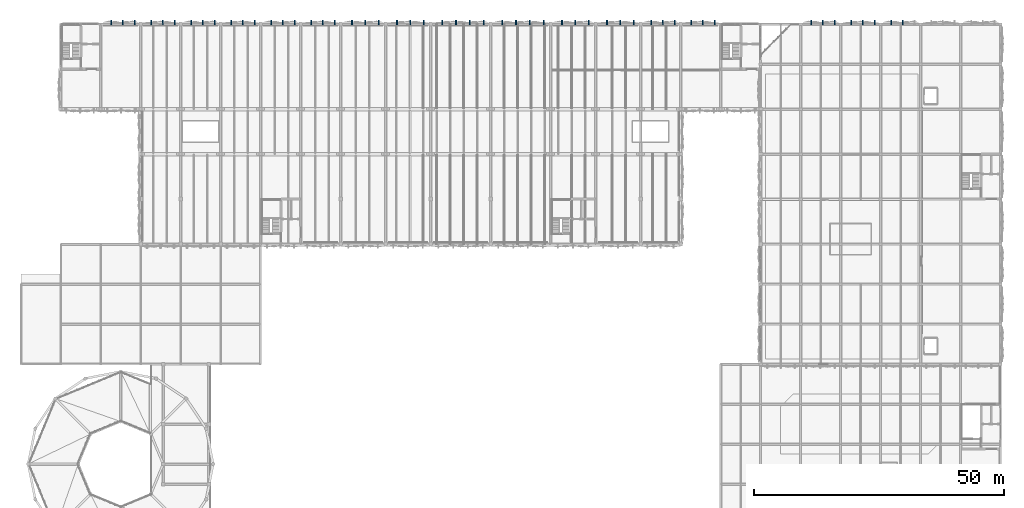
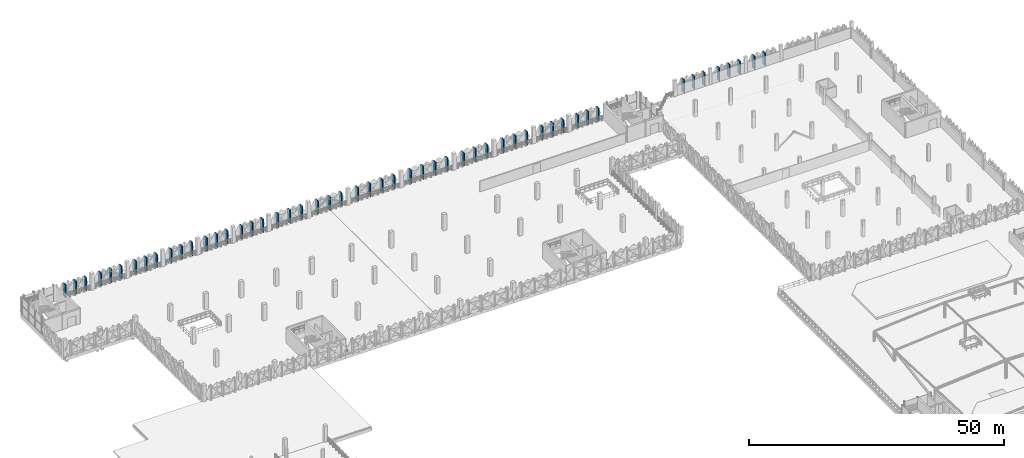
# One storey, part 49 of 76: 52 discrete accessories.
"""IFC4 building model written with IfcOpenShell, lengths in metres."""

import ifcopenshell
import ifcopenshell.guid

model = None  # the IFC model being written
_history = None  # IfcOwnerHistory: only IFC2X3 demands one
_inside = {}  # id of a spatial element -> (the spatial element, [elements in it])
_under = {}  # id of a project, library or spatial element -> (it, [spatial elements below it])
_declared = {}  # id of a project -> (the project, [libraries it declares])
_typed = {}  # id of a type object -> (the type object, [elements of that type])
_made_of = {}  # id of a material, layer set ... -> (it, [elements and type objects made of it])


def new_model(schema):
    """Start an empty IFC model of exactly this schema.

    Asked for "IFC4X3", IfcOpenShell would pick the latest addendum, in which some entities
    have other attributes; the version numbers below select the first issue.
    IFC2X3 requires an IfcOwnerHistory on every rooted entity: one is made here for all.
    """
    global model, _history
    if schema == "IFC4X3":
        model = ifcopenshell.file(schema_version=(4, 3, 0, 0))
    else:
        model = ifcopenshell.file(schema=schema)
    _inside.clear()
    _under.clear()
    _declared.clear()
    _typed.clear()
    _made_of.clear()
    _history = None
    if model.schema == "IFC2X3":
        org = make("IfcOrganization", Name="unknown")
        user = make(
            "IfcPersonAndOrganization",
            ThePerson=make("IfcPerson", FamilyName="unknown"),
            TheOrganization=org,
        )
        app = make(
            "IfcApplication",
            ApplicationDeveloper=org,
            Version="unknown",
            ApplicationFullName="unknown",
            ApplicationIdentifier="unknown",
        )
        _history = make(
            "IfcOwnerHistory",
            OwningUser=user,
            OwningApplication=app,
            ChangeAction="ADDED",
            CreationDate=0,
        )
    return model


def make(cls, **values):
    """One entity of the class cls with the attributes given. An attribute that is None is left unset."""
    return model.create_entity(
        cls, **{name: value for name, value in values.items() if value is not None}
    )


def rooted(cls, **values):
    """An entity with a GlobalId (a new one), such as an element, a storey or a relation."""
    return make(cls, GlobalId=ifcopenshell.guid.new(), OwnerHistory=_history, **values)


def si_unit(unit_type, name, prefix=None):
    """IfcSIUnit, for example si_unit("LENGTHUNIT", "METRE", prefix="MILLI")."""
    return make("IfcSIUnit", UnitType=unit_type, Prefix=prefix, Name=name)


def derived_unit(unit_type, elements):
    """IfcDerivedUnit: a product of units, each with its exponent."""
    return make(
        "IfcDerivedUnit",
        Elements=[
            make("IfcDerivedUnitElement", Unit=unit, Exponent=power)
            for unit, power in elements
        ],
        UnitType=unit_type,
    )


def assignment(units):
    """IfcUnitAssignment: the units of a project."""
    return None if units is None else make("IfcUnitAssignment", Units=units)


def point(xyz):
    """IfcCartesianPoint."""
    return None if xyz is None else make("IfcCartesianPoint", Coordinates=xyz)


def direction(xyz):
    """IfcDirection."""
    return None if xyz is None else make("IfcDirection", DirectionRatios=xyz)


def frame(location, z_axis=None, x_axis=None):
    """IfcAxis2Placement3D, a coordinate frame: its origin and axes. An axis left out is left unset."""
    return make(
        "IfcAxis2Placement3D",
        Location=point(location),
        Axis=direction(z_axis),
        RefDirection=direction(x_axis),
    )


def frame_2d(location, x_axis=None):
    """IfcAxis2Placement2D, a coordinate frame in the plane: its origin and x axis."""
    return make(
        "IfcAxis2Placement2D", Location=point(location), RefDirection=direction(x_axis)
    )


def origin():
    """The frame at (0, 0, 0) with its axes left unset."""
    return frame((0.0, 0.0, 0.0))


def origin_2d():
    """The frame at (0, 0) in the plane with its x axis left unset."""
    return frame_2d((0.0, 0.0))


def place(relative_to, where):
    """IfcLocalPlacement: puts the frame where relative to a parent placement (None: the world)."""
    return make(
        "IfcLocalPlacement", PlacementRelTo=relative_to, RelativePlacement=where
    )


def context(
    kind, dimensions, precision=None, world=None, true_north=None, identifier=None
):
    """IfcGeometricRepresentationContext, for example the 3D "Model" context."""
    return make(
        "IfcGeometricRepresentationContext",
        ContextIdentifier=identifier,
        ContextType=kind,
        CoordinateSpaceDimension=dimensions,
        Precision=precision,
        WorldCoordinateSystem=world,
        TrueNorth=true_north,
    )


def subcontext(parent, identifier, kind, view, scale=None):
    """IfcGeometricRepresentationSubContext, for example "Body" below "Model"."""
    return make(
        "IfcGeometricRepresentationSubContext",
        ContextIdentifier=identifier,
        ContextType=kind,
        ParentContext=parent,
        TargetScale=scale,
        TargetView=view,
    )


def project(units=None, contexts=None):
    """IfcProject with its units and contexts."""
    return rooted(
        "IfcProject",
        Name="project",
        RepresentationContexts=contexts,
        UnitsInContext=assignment(units),
    )


def spatial(cls, under=None, at=None, **own):
    """A site, building, storey or space (cls), placed at a placement, below another one or the project."""
    s = rooted(cls, ObjectPlacement=at, **own)
    if under is not None:
        _under.setdefault(under.id(), (under, []))[1].append(s)
    return s


def profile(cls, at=None, kind="AREA", **sizes):
    """A parametric profile (cls). Its sizes go by their IFC names, for example OverallWidth=200.0."""
    return make(cls, ProfileType=kind, Position=at, **sizes)


def rectangle(**sizes):
    """IfcRectangleProfileDef."""
    return profile("IfcRectangleProfileDef", **sizes)


def extrude(swept, where, along, depth):
    """IfcExtrudedAreaSolid: the profile swept, set in the frame where, extruded along a direction by depth."""
    return make(
        "IfcExtrudedAreaSolid",
        SweptArea=swept,
        Position=where,
        ExtrudedDirection=direction(along),
        Depth=depth,
    )


def shape(context_of_items, identifier, shape_type, items):
    """IfcShapeRepresentation: the items that make up one representation, for example the "Body"."""
    return make(
        "IfcShapeRepresentation",
        ContextOfItems=context_of_items,
        RepresentationIdentifier=identifier,
        RepresentationType=shape_type,
        Items=items,
    )


def material(Name=None, Category=None):
    """IfcMaterial."""
    return make("IfcMaterial", Name=Name, Category=Category)


def made_of(thing, what):
    """Note that an element or type object is made of a material, layer set ...; save() writes the relation."""
    if what is not None:
        _made_of.setdefault(what.id(), (what, []))[1].append(thing)
    return thing


def type_object(cls, material=None, **own):
    """A type object (cls), such as IfcWallType, which elements share."""
    return made_of(rooted(cls, **own), material)


def element(
    cls,
    number,
    at=None,
    inside=None,
    cuts=None,
    type_object=None,
    material=None,
    context=None,
    identifier="Body",
    shape_type=None,
    held_by="IfcProductDefinitionShape",
    body=None,
    shapes=None,
    **own,
):
    """One element of the class cls, such as IfcWall. Its Tag is "e" and its number.

    at: its placement. inside: the storey or other place that contains it. cuts: it is an
    opening in that element (IfcRelVoidsElement). A single representation is given by context,
    identifier, shape_type and body (its items); several are given by shapes. held_by: the class
    of the entity that holds the representations. save() writes the other relations.
    """
    e = rooted(cls, Tag="e%d" % number, ObjectPlacement=at, **own)
    if body is not None:
        shapes = [shape(context, identifier, shape_type, body)]
    if shapes is not None:
        e.Representation = make(held_by, Representations=shapes)
    if inside is not None:
        _inside.setdefault(inside.id(), (inside, []))[1].append(e)
    if cuts is not None:
        rooted(
            "IfcRelVoidsElement", RelatingBuildingElement=cuts, RelatedOpeningElement=e
        )
    if type_object is not None:
        _typed.setdefault(type_object.id(), (type_object, []))[1].append(e)
    return made_of(e, material)


def aggregate(whole, parts):
    """IfcRelAggregates: a whole, such as a stair, and the parts it consists of."""
    return rooted("IfcRelAggregates", RelatingObject=whole, RelatedObjects=parts)


def save(model, path):
    """Write the relations noted so far, then the file.

    IfcRelAggregates (storeys below a building ...), IfcRelContainedInSpatialStructure (elements
    in a storey), IfcRelDefinesByType, IfcRelAssociatesMaterial and IfcRelDeclares: one each for
    every whole, place, type object, material and project.
    """
    for whole, parts in _under.values():
        aggregate(whole, parts)
    for where, things in _inside.values():
        rooted(
            "IfcRelContainedInSpatialStructure",
            RelatedElements=things,
            RelatingStructure=where,
        )
    for kind, things in _typed.values():
        rooted("IfcRelDefinesByType", RelatedObjects=things, RelatingType=kind)
    for what, things in _made_of.values():
        rooted("IfcRelAssociatesMaterial", RelatedObjects=things, RelatingMaterial=what)
    for by, libraries in _declared.values():
        rooted("IfcRelDeclares", RelatingContext=by, RelatedDefinitions=libraries)
    model.write(path)


model = new_model("IFC4")

# Units and contexts
model_context = context("Model", 3, precision=1e-05, world=origin(), true_north=direction((0.0, 1.0)))
body_context = subcontext(model_context, "Body", "Model", "MODEL_VIEW")
ifc_project = project(units=[si_unit("LENGTHUNIT", "METRE"), si_unit("AREAUNIT", "SQUARE_METRE"), si_unit("VOLUMEUNIT", "CUBIC_METRE"), si_unit("PLANEANGLEUNIT", "RADIAN"), si_unit("MASSUNIT", "GRAM", prefix="KILO"), si_unit("THERMODYNAMICTEMPERATUREUNIT", "KELVIN"), derived_unit("THERMALTRANSMITTANCEUNIT", [(si_unit("POWERUNIT", "WATT"), 1), (si_unit("AREAUNIT", "SQUARE_METRE"), -1), (si_unit("THERMODYNAMICTEMPERATUREUNIT", "KELVIN"), -1)])], contexts=[model_context])

# Site, building, storey
site_placement = place(None, origin())
site = spatial("IfcSite", under=ifc_project, at=site_placement, CompositionType="ELEMENT")
building_placement = place(site_placement, origin())
building = spatial("IfcBuilding", under=site, at=building_placement, Name="Haiyu Intermodal Mobility Hub", CompositionType="ELEMENT")
storey_placement = place(building_placement, frame((0.0, 0.0, 17.300048828125)))
storey = spatial("IfcBuildingStorey", under=building, at=storey_placement, Name="L04", CompositionType="ELEMENT", Elevation=17.300048828125)

# Discrete accessories
ifc_material = material(Name="Steel Q355C", Category="steel")
discrete_accessory_type = type_object("IfcDiscreteAccessoryType", Name="ACC-BK02", PredefinedType="BRACKET", material=ifc_material)
for number, where, z_axis, x_axis, name in (
    (1, (36.787109375, 148.340087890625, 0.0498046875), (0.0, 0.0, 1.0), (1.0, 0.0, 0.0), "BRK-PYR-0024"),
    (2, (34.43994140625, 148.340087890625, 0.0498046875), (0.0, 0.0, 1.0), (1.0, 0.0, 0.0), "BRK-PYR-0027"),
    (3, (32.093017578125, 148.340087890625, 0.0498046875), (0.0, 0.0, 1.0), (1.0, 0.0, 0.0), "BRK-PYR-0028"),
    (4, (44.787109375, 148.340087890625, 0.0498046875), (0.0, 0.0, 1.0), (1.0, 0.0, 0.0), "BRK-PYR-0059"),
    (5, (42.43994140625, 148.340087890625, 0.0498046875), (0.0, 0.0, 1.0), (1.0, 0.0, 0.0), "BRK-PYR-0062"),
    (6, (40.093017578125, 148.340087890625, 0.0498046875), (0.0, 0.0, 1.0), (1.0, 0.0, 0.0), "BRK-PYR-0063"),
    (7, (52.787109375, 148.340087890625, 0.0498046875), (0.0, 0.0, 1.0), (1.0, 0.0, 0.0), "BRK-PYR-0094"),
    (8, (50.43994140625, 148.340087890625, 0.0498046875), (0.0, 0.0, 1.0), (1.0, 0.0, 0.0), "BRK-PYR-0097"),
    (9, (48.093017578125, 148.340087890625, 0.0498046875), (0.0, 0.0, 1.0), (1.0, 0.0, 0.0), "BRK-PYR-0098"),
    (10, (60.787109375, 148.340087890625, 0.0498046875), (0.0, 0.0, 1.0), (1.0, 0.0, 0.0), "BRK-PYR-0129"),
    (11, (58.43994140625, 148.340087890625, 0.0498046875), (0.0, 0.0, 1.0), (1.0, 0.0, 0.0), "BRK-PYR-0132"),
    (12, (56.093017578125, 148.340087890625, 0.0498046875), (0.0, 0.0, 1.0), (1.0, 0.0, 0.0), "BRK-PYR-0133"),
    (13, (68.787109375, 148.340087890625, 0.0498046875), (0.0, 0.0, 1.0), (1.0, 0.0, 0.0), "BRK-PYR-0164"),
    (14, (66.43994140625, 148.340087890625, 0.0498046875), (0.0, 0.0, 1.0), (1.0, 0.0, 0.0), "BRK-PYR-0167"),
    (15, (64.093017578125, 148.340087890625, 0.0498046875), (0.0, 0.0, 1.0), (1.0, 0.0, 0.0), "BRK-PYR-0168"),
    (16, (76.787109375, 148.340087890625, 0.0498046875), (0.0, 0.0, 1.0), (1.0, 0.0, 0.0), "BRK-PYR-0199"),
    (17, (74.43994140625, 148.340087890625, 0.0498046875), (0.0, 0.0, 1.0), (1.0, 0.0, 0.0), "BRK-PYR-0202"),
    (18, (72.093017578125, 148.340087890625, 0.0498046875), (0.0, 0.0, 1.0), (1.0, 0.0, 0.0), "BRK-PYR-0203"),
    (19, (85.6201171875, 148.340087890625, 0.0498046875), (0.0, 0.0, 1.0), (1.0, 0.0, 0.0), "BRK-PYR-0234"),
    (20, (82.93994140625, 148.340087890625, 0.0498046875), (0.0, 0.0, 1.0), (1.0, 0.0, 0.0), "BRK-PYR-0237"),
    (21, (80.260009765625, 148.340087890625, 0.0498046875), (0.0, 0.0, 1.0), (1.0, 0.0, 0.0), "BRK-PYR-0238"),
    (22, (94.6201171875, 148.340087890625, 0.0498046875), (0.0, 0.0, 1.0), (1.0, 0.0, 0.0), "BRK-PYR-0269"),
    (23, (91.93994140625, 148.340087890625, 0.0498046875), (0.0, 0.0, 1.0), (1.0, 0.0, 0.0), "BRK-PYR-0272"),
    (24, (89.260009765625, 148.340087890625, 0.0498046875), (0.0, 0.0, 1.0), (1.0, 0.0, 0.0), "BRK-PYR-0273"),
    (25, (106.580078125, 148.340087890625, 0.0498046875), (0.0, 0.0, 1.0), (1.0, 0.0, 0.0), "BRK-PYR-0313"),
    (26, (103.820068359375, 148.340087890625, 0.0498046875), (0.0, 0.0, 1.0), (1.0, 0.0, 0.0), "BRK-PYR-0316"),
    (27, (101.06005859375, 148.340087890625, 0.0498046875), (0.0, 0.0, 1.0), (1.0, 0.0, 0.0), "BRK-PYR-0319"),
    (28, (98.300048828125, 148.340087890625, 0.0498046875), (0.0, 0.0, 1.0), (1.0, 0.0, 0.0), "BRK-PYR-0320"),
    (29, (118.580078125, 148.340087890625, 0.0498046875), (0.0, 0.0, 1.0), (1.0, 0.0, 0.0), "BRK-PYR-0363"),
    (30, (115.820068359375, 148.340087890625, 0.0498046875), (0.0, 0.0, 1.0), (1.0, 0.0, 0.0), "BRK-PYR-0366"),
    (31, (113.06005859375, 148.340087890625, 0.0498046875), (0.0, 0.0, 1.0), (1.0, 0.0, 0.0), "BRK-PYR-0369"),
    (32, (110.300048828125, 148.340087890625, 0.0498046875), (0.0, 0.0, 1.0), (1.0, 0.0, 0.0), "BRK-PYR-0370"),
    (33, (127.6201171875, 148.340087890625, 0.0498046875), (0.0, 0.0, 1.0), (1.0, 0.0, 0.0), "BRK-PYR-0404"),
    (34, (124.93994140625, 148.340087890625, 0.0498046875), (0.0, 0.0, 1.0), (1.0, 0.0, 0.0), "BRK-PYR-0407"),
    (35, (122.260009765625, 148.340087890625, 0.0498046875), (0.0, 0.0, 1.0), (1.0, 0.0, 0.0), "BRK-PYR-0408"),
    (36, (136.6201171875, 148.340087890625, 0.0498046875), (0.0, 0.0, 1.0), (1.0, 0.0, 0.0), "BRK-PYR-0439"),
    (37, (133.93994140625, 148.340087890625, 0.0498046875), (0.0, 0.0, 1.0), (1.0, 0.0, 0.0), "BRK-PYR-0442"),
    (38, (131.260009765625, 148.340087890625, 0.0498046875), (0.0, 0.0, 1.0), (1.0, 0.0, 0.0), "BRK-PYR-0443"),
    (39, (144.787109375, 148.340087890625, 0.0498046875), (0.0, 0.0, 1.0), (1.0, 0.0, 0.0), "BRK-PYR-0474"),
    (40, (142.43994140625, 148.340087890625, 0.0498046875), (0.0, 0.0, 1.0), (1.0, 0.0, 0.0), "BRK-PYR-0477"),
    (41, (140.093017578125, 148.340087890625, 0.0498046875), (0.0, 0.0, 1.0), (1.0, 0.0, 0.0), "BRK-PYR-0478"),
    (42, (152.787109375, 148.340087890625, 0.0498046875), (0.0, 0.0, 1.0), (1.0, 0.0, 0.0), "BRK-PYR-0509"),
    (43, (150.43994140625, 148.340087890625, 0.0498046875), (0.0, 0.0, 1.0), (1.0, 0.0, 0.0), "BRK-PYR-0512"),
    (44, (148.093017578125, 148.340087890625, 0.0498046875), (0.0, 0.0, 1.0), (1.0, 0.0, 0.0), "BRK-PYR-0513"),
    (45, (176.787109375, 148.340087890625, 0.0498046875), (0.0, 0.0, 1.0), (1.0, 0.0, 0.0), "BRK-PYR-1325"),
    (46, (174.43994140625, 148.340087890625, 0.0498046875), (0.0, 0.0, 1.0), (1.0, 0.0, 0.0), "BRK-PYR-1328"),
    (47, (172.093017578125, 148.340087890625, 0.0498046875), (0.0, 0.0, 1.0), (1.0, 0.0, 0.0), "BRK-PYR-1329"),
    (48, (184.787109375, 148.340087890625, 0.0498046875), (0.0, 0.0, 1.0), (1.0, 0.0, 0.0), "BRK-PYR-1332"),
    (49, (182.43994140625, 148.340087890625, 0.0498046875), (0.0, 0.0, 1.0), (1.0, 0.0, 0.0), "BRK-PYR-1335"),
    (50, (180.093017578125, 148.340087890625, 0.0498046875), (0.0, 0.0, 1.0), (1.0, 0.0, 0.0), "BRK-PYR-1336"),
    (51, (190.43994140625, 148.340087890625, 0.0498046875), (0.0, 0.0, 1.0), (1.0, 0.0, 0.0), "BRK-PYR-1342"),
    (52, (188.093017578125, 148.340087890625, 0.0498046875), (0.0, 0.0, 1.0), (1.0, 0.0, 0.0), "BRK-PYR-1343"),
):
    element("IfcDiscreteAccessory", number, at=place(storey_placement, frame(where, z_axis=z_axis, x_axis=x_axis)), inside=storey, type_object=discrete_accessory_type, Name=name, PredefinedType="BRACKET", context=body_context, shape_type="SweptSolid", body=[
        extrude(rectangle(XDim=0.219970703125, YDim=0.949951171875, at=origin_2d()), origin(), (0.0, 0.0, 1.0), 3.10009765625),
    ])

save(model, "model.ifc")
